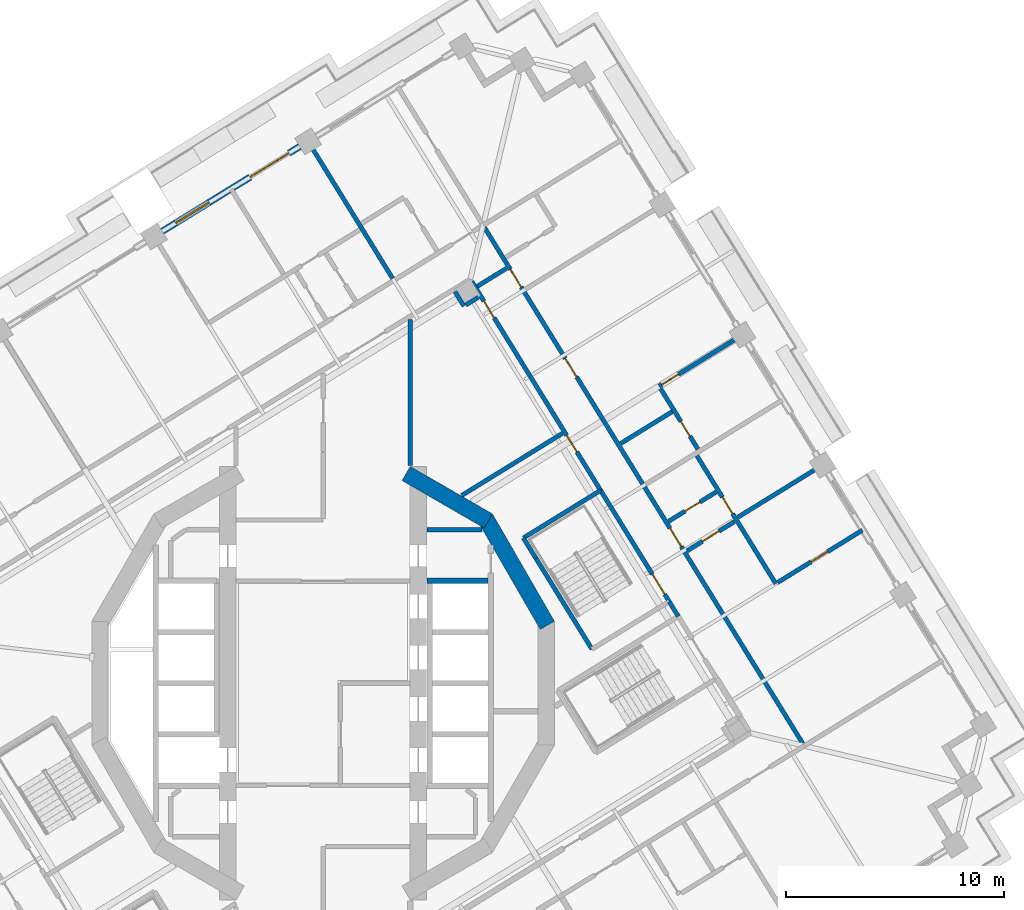
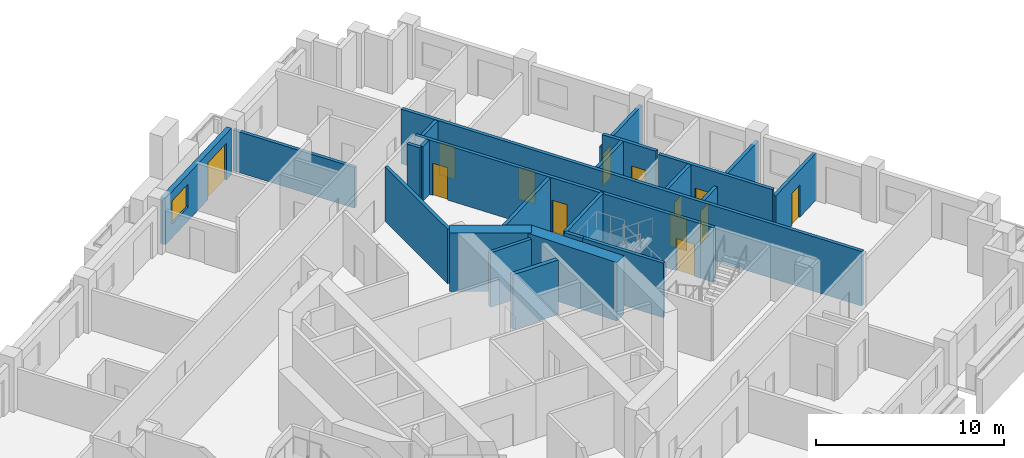
# One storey, part 9 of 21: 26 walls, 13 doors, 1 window, 14 openings.
"""IFC4 building model written with IfcOpenShell, lengths in metres."""

from ifc_helpers import new_model, si_unit, direction, frame, frame_2d, origin, place, context, subcontext, project, spatial, rectangle, extrude, material, layer, layer_set, type_object, element, fill, save


model = new_model("IFC4")

# Units and contexts
model_context = context("Model", 3, precision=1e-05, world=origin(), true_north=direction((0.0, 1.0)))
body_context = subcontext(model_context, "Body", "Model", "MODEL_VIEW")
ifc_project = project(units=[si_unit("LENGTHUNIT", "METRE"), si_unit("AREAUNIT", "SQUARE_METRE"), si_unit("VOLUMEUNIT", "CUBIC_METRE"), si_unit("PLANEANGLEUNIT", "RADIAN"), si_unit("MASSUNIT", "GRAM", prefix="KILO")], contexts=[model_context])

# Site, building, storey
site_placement = place(None, origin())
site = spatial("IfcSite", under=ifc_project, at=site_placement, CompositionType="ELEMENT")
building_placement = place(site_placement, origin())
building = spatial("IfcBuilding", under=site, at=building_placement, Name="Cantera Rosa Tower", CompositionType="ELEMENT")
storey_placement = place(building_placement, frame((0.0, 0.0, 170.39990234375)))
storey = spatial("IfcBuildingStorey", under=building, at=storey_placement, Name="L37", CompositionType="ELEMENT", Elevation=170.39990234375)

# Walls
ifc_material_1 = material(Name="Gypsum board partition")
ifc_layer_1 = layer(ifc_material_1, 0.199951171875)
ifc_layer_set_1 = layer_set([ifc_layer_1], Name="CORRIDOR WALL 200 H3550")
wall_type_1 = type_object("IfcWallType", Name="CORRIDOR WALL 200 H3550", PredefinedType="PARTITIONING", material=ifc_layer_set_1)
wall_1_placement = place(storey_placement, frame((4.0, 9.994140625, 0.0), z_axis=(0.0, 0.0, 1.0), x_axis=(0.0, 1.0, 0.0)))
element("IfcWall", 1, at=wall_1_placement, inside=storey, type_object=wall_type_1, Name="CORRIDOR WALL L37-077", PredefinedType="PARTITIONING", context=body_context, shape_type="SweptSolid", body=[
    extrude(rectangle(XDim=6.7060546875, YDim=0.199951171875, at=frame_2d((3.35302734375, 0.0))), origin(), (0.0, 0.0, 1.0), 3.550048828125),
])
wall_2_placement = place(storey_placement, frame((7.08154296875, 18.234619140625, 0.0), z_axis=(0.0, 0.0, 1.0), x_axis=(0.8511858258, 0.524864449127, 0.0)))
element("IfcWall", 2, at=wall_2_placement, inside=storey, type_object=wall_type_1, Name="CORRIDOR WALL L37-088", PredefinedType="PARTITIONING", context=body_context, shape_type="SweptSolid", body=[
    extrude(rectangle(XDim=1.580078125, YDim=0.199951171875, at=frame_2d((0.7900390625, 0.0))), origin(), (0.0, 0.0, 1.0), 3.550048828125),
])

# Wall, openings, doors
wall_3_placement = place(storey_placement, frame((12.74560546875, 8.861328125, 0.0), z_axis=(0.0, 0.0, 1.0), x_axis=(-0.524983574612, 0.851112358263, 0.0)))
wall_3 = element("IfcWall", 3, at=wall_3_placement, inside=storey, type_object=wall_type_1, Name="CORRIDOR WALL L37-106", PredefinedType="PARTITIONING", context=body_context, shape_type="SweptSolid", body=[
    extrude(rectangle(XDim=11.279296875, YDim=0.199951171875, at=frame_2d((5.6396484375, 0.0))), origin(), (0.0, 0.0, 1.0), 3.550048828125),
])
opening_1_placement = place(wall_3_placement, frame((9.314208984375, 0.0, 0.0)))
opening_1 = element("IfcOpeningElement", 4, at=opening_1_placement, cuts=wall_3, Name="Opening L37-005", PredefinedType="OPENING", context=body_context, shape_type="SweptSolid", body=[
    extrude(rectangle(XDim=0.89990234375, YDim=2.10009765625, at=frame_2d((0.449951171875, 1.050048828125))), frame((0.0, 0.10986328125, 0.0), z_axis=(0.0, -1.0, 0.0), x_axis=(1.0, 0.0, 0.0)), (0.0, 0.0, 1.0), 0.219970703125),
])
opening_2_placement = place(wall_3_placement, frame((2.0693359375, 0.0, 0.0)))
opening_2 = element("IfcOpeningElement", 5, at=opening_2_placement, cuts=wall_3, Name="Opening L37-010", PredefinedType="OPENING", context=body_context, shape_type="SweptSolid", body=[
    extrude(rectangle(XDim=0.89990234375, YDim=2.10009765625, at=frame_2d((0.449951171875, 1.050048828125))), frame((0.0, 0.10986328125, 0.0), z_axis=(0.0, -1.0, 0.0), x_axis=(1.0, 0.0, 0.0)), (0.0, 0.0, 1.0), 0.219970703125),
])
ifc_material_2 = material(Name="Timber door leaf", Category="wood")
door_type_1 = type_object("IfcDoorType", Name="SERVICE DOOR 900x2100", OperationType="NOTDEFINED", PredefinedType="DOOR", material=ifc_material_2)
door_1_placement = place(opening_1_placement, origin())
door_1 = element("IfcDoor", 6, at=door_1_placement, inside=storey, type_object=door_type_1, Name="DOOR L37-005", OperationType="NOTDEFINED", OverallHeight=2.10009765625, OverallWidth=0.89990234375, PredefinedType="DOOR", context=body_context, shape_type="SweptSolid", body=[
    extrude(rectangle(XDim=0.89990234375, YDim=2.10009765625, at=frame_2d((0.449951171875, 1.050048828125))), frame((0.0, 0.02490234375, 0.0), z_axis=(0.0, -1.0, 0.0), x_axis=(1.0, 0.0, 0.0)), (0.0, 0.0, 1.0), 0.050048828125),
])
fill(opening_1, door_1)
door_2_placement = place(opening_2_placement, origin())
door_2 = element("IfcDoor", 7, at=door_2_placement, inside=storey, type_object=door_type_1, Name="DOOR L37-010", OperationType="NOTDEFINED", OverallHeight=2.10009765625, OverallWidth=0.89990234375, PredefinedType="DOOR", context=body_context, shape_type="SweptSolid", body=[
    extrude(rectangle(XDim=0.89990234375, YDim=2.10009765625, at=frame_2d((0.449951171875, 1.050048828125))), frame((0.0, 0.02490234375, 0.0), z_axis=(0.0, -1.0, 0.0), x_axis=(1.0, 0.0, 0.0)), (0.0, 0.0, 1.0), 0.050048828125),
])
fill(opening_2, door_2)

# Wall
wall_4_placement = place(storey_placement, frame((16.31591796875, 3.072998046875, 0.0), z_axis=(0.0, 0.0, 1.0), x_axis=(-0.524947597637, 0.85113454855, 0.0)))
element("IfcWall", 8, at=wall_4_placement, inside=storey, type_object=wall_type_1, Name="CORRIDOR WALL L37-114", PredefinedType="PARTITIONING", context=body_context, shape_type="SweptSolid", body=[
    extrude(rectangle(XDim=0.80078125, YDim=0.199951171875, at=frame_2d((0.400390625, 0.0))), origin(), (0.0, 0.0, 1.0), 3.550048828125),
])

# Wall, openings, doors
wall_5_placement = place(storey_placement, frame((22.037109375, -2.77392578125, 0.0), z_axis=(0.0, 0.0, 1.0), x_axis=(-0.524972822247, 0.851118990448, 0.0)))
wall_5 = element("IfcWall", 9, at=wall_5_placement, inside=storey, type_object=wall_type_1, Name="CORRIDOR WALL L37-129", PredefinedType="PARTITIONING", context=body_context, shape_type="SweptSolid", body=[
    extrude(rectangle(XDim=27.85986328125, YDim=0.199951171875, at=frame_2d((13.929931640625, 0.0))), origin(), (0.0, 0.0, 1.0), 3.550048828125),
])
opening_3_placement = place(wall_5_placement, frame((10.6298828125, 0.0, 0.0)))
opening_3 = element("IfcOpeningElement", 10, at=opening_3_placement, cuts=wall_5, Name="Opening L37-022", PredefinedType="OPENING", context=body_context, shape_type="SweptSolid", body=[
    extrude(rectangle(XDim=1.0, YDim=2.10009765625, at=frame_2d((0.5, 1.050048828125))), frame((0.0, 0.10986328125, 0.0), z_axis=(0.0, -1.0, 0.0), x_axis=(1.0, 0.0, 0.0)), (0.0, 0.0, 1.0), 0.219970703125),
])
opening_4_placement = place(wall_5_placement, frame((19.794921875, 0.0, 0.0)))
opening_4 = element("IfcOpeningElement", 11, at=opening_4_placement, cuts=wall_5, Name="Opening L37-027", PredefinedType="OPENING", context=body_context, shape_type="SweptSolid", body=[
    extrude(rectangle(XDim=1.0, YDim=2.10009765625, at=frame_2d((0.5, 1.050048828125))), frame((0.0, 0.10986328125, 0.0), z_axis=(0.0, -1.0, 0.0), x_axis=(1.0, 0.0, 0.0)), (0.0, 0.0, 1.0), 0.219970703125),
])
opening_5_placement = place(wall_5_placement, frame((24.652099609375, 0.0, 0.0)))
opening_5 = element("IfcOpeningElement", 12, at=opening_5_placement, cuts=wall_5, Name="Opening L37-030", PredefinedType="OPENING", context=body_context, shape_type="SweptSolid", body=[
    extrude(rectangle(XDim=0.949951171875, YDim=2.10009765625, at=frame_2d((0.47509765625, 1.050048828125))), frame((0.0, 0.10986328125, 0.0), z_axis=(0.0, -1.0, 0.0), x_axis=(1.0, 0.0, 0.0)), (0.0, 0.0, 1.0), 0.219970703125),
])
ifc_material_3 = material(Name="Timber door leaf", Category="wood")
door_type_2 = type_object("IfcDoorType", Name="ENTRANCE DOOR 1000x2100", OperationType="NOTDEFINED", PredefinedType="DOOR", material=ifc_material_3)
door_3_placement = place(opening_3_placement, origin())
door_3 = element("IfcDoor", 13, at=door_3_placement, inside=storey, type_object=door_type_2, Name="DOOR L37-022", OperationType="NOTDEFINED", OverallHeight=2.10009765625, OverallWidth=1.0, PredefinedType="DOOR", context=body_context, shape_type="SweptSolid", body=[
    extrude(rectangle(XDim=1.0, YDim=2.10009765625, at=frame_2d((0.5, 1.050048828125))), frame((0.0, 0.02490234375, 0.0), z_axis=(0.0, -1.0, 0.0), x_axis=(1.0, 0.0, 0.0)), (0.0, 0.0, 1.0), 0.050048828125),
])
fill(opening_3, door_3)
door_4_placement = place(opening_4_placement, origin())
door_4 = element("IfcDoor", 14, at=door_4_placement, inside=storey, type_object=door_type_2, Name="DOOR L37-027", OperationType="NOTDEFINED", OverallHeight=2.10009765625, OverallWidth=1.0, PredefinedType="DOOR", context=body_context, shape_type="SweptSolid", body=[
    extrude(rectangle(XDim=1.0, YDim=2.10009765625, at=frame_2d((0.5, 1.050048828125))), frame((0.0, 0.02490234375, 0.0), z_axis=(0.0, -1.0, 0.0), x_axis=(1.0, 0.0, 0.0)), (0.0, 0.0, 1.0), 0.050048828125),
])
fill(opening_4, door_4)
ifc_material_4 = material(Name="Timber door leaf", Category="wood")
door_type_3 = type_object("IfcDoorType", Name="ROOM DOOR 950x2100", OperationType="NOTDEFINED", PredefinedType="DOOR", material=ifc_material_4)
door_5_placement = place(opening_5_placement, origin())
door_5 = element("IfcDoor", 15, at=door_5_placement, inside=storey, type_object=door_type_3, Name="DOOR L37-030", OperationType="NOTDEFINED", OverallHeight=2.10009765625, OverallWidth=0.949951171875, PredefinedType="DOOR", context=body_context, shape_type="SweptSolid", body=[
    extrude(rectangle(XDim=0.949951171875, YDim=2.10009765625, at=frame_2d((0.47509765625, 1.050048828125))), frame((0.0, 0.02490234375, 0.0), z_axis=(0.0, -1.0, 0.0), x_axis=(1.0, 0.0, 0.0)), (0.0, 0.0, 1.0), 0.050048828125),
])
fill(opening_5, door_5)

# Wall, openings, window, door
ifc_material_5 = material(Name="Hollow clay masonry with cantera stone cladding", Category="masonry")
ifc_layer_2 = layer(ifc_material_5, 0.300048828125)
ifc_layer_set_2 = layer_set([ifc_layer_2], Name="EW-LOGGIA 300 H3020")
wall_type_2 = type_object("IfcWallType", Name="EW-LOGGIA 300 H3020", PredefinedType="SOLIDWALL", material=ifc_layer_set_2)
wall_6_placement = place(storey_placement, frame((-1.07421875, 24.656982421875, 0.0), z_axis=(0.0, 0.0, 1.0), x_axis=(-0.85112578684, -0.524961803349, 0.0)))
wall_6 = element("IfcWall", 16, at=wall_6_placement, inside=storey, type_object=wall_type_2, Name="EN-L37-W09", PredefinedType="SOLIDWALL", context=body_context, shape_type="SweptSolid", body=[
    extrude(rectangle(XDim=7.420166015625, YDim=0.300048828125, at=frame_2d((3.7099609375, 0.0))), origin(), (0.0, 0.0, 1.0), 3.02001953125),
])
opening_6_placement = place(wall_6_placement, frame((0.580078125, 0.0, 0.0)))
opening_6 = element("IfcOpeningElement", 17, at=opening_6_placement, cuts=wall_6, Name="Opening L37-TD13", PredefinedType="OPENING", context=body_context, shape_type="SweptSolid", body=[
    extrude(rectangle(XDim=2.10009765625, YDim=2.39990234375, at=frame_2d((1.050048828125, 1.199951171875))), frame((0.0, 0.159912109375, 0.0), z_axis=(0.0, -1.0, 0.0), x_axis=(1.0, 0.0, 0.0)), (0.0, 0.0, 1.0), 0.320068359375),
])
opening_7_placement = place(wall_6_placement, frame((4.889892578125, 0.0, 0.89990234375)))
opening_7 = element("IfcOpeningElement", 18, at=opening_7_placement, cuts=wall_6, Name="Opening L37-W14", PredefinedType="OPENING", context=body_context, shape_type="SweptSolid", body=[
    extrude(rectangle(XDim=1.800048828125, YDim=1.5, at=frame_2d((0.89990234375, 0.75))), frame((0.0, 0.159912109375, 0.0), z_axis=(0.0, -1.0, 0.0), x_axis=(1.0, 0.0, 0.0)), (0.0, 0.0, 1.0), 0.320068359375),
])
ifc_material_6 = material(Name="Aluminium frame with clear glass", Category="aluminium")
window_type = type_object("IfcWindowType", Name="Hotel room window 1800x1500", PartitioningType="DOUBLE_PANEL_VERTICAL", PredefinedType="WINDOW", material=ifc_material_6)
window_placement = place(opening_7_placement, origin())
window = element("IfcWindow", 19, at=window_placement, inside=storey, type_object=window_type, Name="WINDOW L37-W14", OverallHeight=1.5, OverallWidth=1.800048828125, PartitioningType="SINGLE_PANEL", PredefinedType="WINDOW", context=body_context, shape_type="SweptSolid", body=[
    extrude(rectangle(XDim=1.800048828125, YDim=1.5, at=frame_2d((0.89990234375, 0.75))), frame((0.0, 0.030029296875, 0.0), z_axis=(0.0, -1.0, 0.0), x_axis=(1.0, 0.0, 0.0)), (0.0, 0.0, 1.0), 0.06005859375),
])
fill(opening_7, window)
ifc_material_7 = material(Name="Aluminium frame with clear glass", Category="aluminium")
door_type_4 = type_object("IfcDoorType", Name="TD-H 2100x2400", OperationType="NOTDEFINED", PredefinedType="DOOR", material=ifc_material_7)
door_6_placement = place(opening_6_placement, origin())
door_6 = element("IfcDoor", 20, at=door_6_placement, inside=storey, type_object=door_type_4, Name="LOGGIA DOOR L37-TD13", OperationType="SLIDING_TO_LEFT", OverallHeight=2.39990234375, OverallWidth=2.10009765625, PredefinedType="DOOR", context=body_context, shape_type="SweptSolid", body=[
    extrude(rectangle(XDim=2.10009765625, YDim=2.39990234375, at=frame_2d((1.050048828125, 1.199951171875))), frame((0.0, 0.02490234375, 0.0), z_axis=(0.0, -1.0, 0.0), x_axis=(1.0, 0.0, 0.0)), (0.0, 0.0, 1.0), 0.050048828125),
])
fill(opening_6, door_6)

# Wall, opening, door
ifc_material_8 = material(Name="Gypsum board partition")
ifc_layer_3 = layer(ifc_material_8, 0.199951171875)
ifc_layer_set_3 = layer_set([ifc_layer_3], Name="PARTITION 200 H2650")
wall_type_3 = type_object("IfcWallType", Name="PARTITION 200 H2650", PredefinedType="PARTITIONING", material=ifc_layer_set_3)
wall_7_placement = place(storey_placement, frame((15.43505859375, 13.644287109375, 0.0), z_axis=(0.0, 0.0, 1.0), x_axis=(0.85108586201, 0.525026528364, 0.0)))
wall_7 = element("IfcWall", 21, at=wall_7_placement, inside=storey, type_object=wall_type_3, Name="PARTITION L37-111", PredefinedType="PARTITIONING", context=body_context, shape_type="SweptSolid", body=[
    extrude(rectangle(XDim=4.47021484375, YDim=0.199951171875, at=frame_2d((2.235107421875, 0.0))), origin(), (0.0, 0.0, 1.0), 2.650146484375),
])
opening_8_placement = place(wall_7_placement, frame((0.14990234375, 0.0, 0.0)))
opening_8 = element("IfcOpeningElement", 22, at=opening_8_placement, cuts=wall_7, Name="Opening L37-028", PredefinedType="OPENING", context=body_context, shape_type="SweptSolid", body=[
    extrude(rectangle(XDim=0.89990234375, YDim=2.10009765625, at=frame_2d((0.449951171875, 1.050048828125))), frame((0.0, 0.10986328125, 0.0), z_axis=(0.0, -1.0, 0.0), x_axis=(1.0, 0.0, 0.0)), (0.0, 0.0, 1.0), 0.219970703125),
])
ifc_material_9 = material(Name="Timber door leaf", Category="wood")
door_type_5 = type_object("IfcDoorType", Name="ROOM DOOR 900x2100", OperationType="NOTDEFINED", PredefinedType="DOOR", material=ifc_material_9)
door_7_placement = place(opening_8_placement, origin())
door_7 = element("IfcDoor", 23, at=door_7_placement, inside=storey, type_object=door_type_5, Name="DOOR L37-028", OperationType="NOTDEFINED", OverallHeight=2.10009765625, OverallWidth=0.89990234375, PredefinedType="DOOR", context=body_context, shape_type="SweptSolid", body=[
    extrude(rectangle(XDim=0.89990234375, YDim=2.10009765625, at=frame_2d((0.449951171875, 1.050048828125))), frame((0.0, 0.02490234375, 0.0), z_axis=(0.0, -1.0, 0.0), x_axis=(1.0, 0.0, 0.0)), (0.0, 0.0, 1.0), 0.050048828125),
])
fill(opening_8, door_7)

wall_8_placement = place(storey_placement, frame((18.895263671875, 7.425048828125, 0.0), z_axis=(0.0, 0.0, 1.0), x_axis=(-0.851117608509, -0.524975062727, 0.0)))
wall_8 = element("IfcWall", 24, at=wall_8_placement, inside=storey, type_object=wall_type_3, Name="PARTITION L37-124", PredefinedType="PARTITIONING", context=body_context, shape_type="SweptSolid", body=[
    extrude(rectangle(XDim=2.56005859375, YDim=0.199951171875, at=frame_2d((1.280029296875, 0.0))), origin(), (0.0, 0.0, 1.0), 2.650146484375),
])
opening_9_placement = place(wall_8_placement, frame((0.830078125, 0.0, 0.0)))
opening_9 = element("IfcOpeningElement", 25, at=opening_9_placement, cuts=wall_8, Name="Opening L37-024", PredefinedType="OPENING", context=body_context, shape_type="SweptSolid", body=[
    extrude(rectangle(XDim=0.89990234375, YDim=2.10009765625, at=frame_2d((0.449951171875, 1.050048828125))), frame((0.0, 0.10986328125, 0.0), z_axis=(0.0, -1.0, 0.0), x_axis=(1.0, 0.0, 0.0)), (0.0, 0.0, 1.0), 0.219970703125),
])
door_8_placement = place(opening_9_placement, origin())
door_8 = element("IfcDoor", 26, at=door_8_placement, inside=storey, type_object=door_type_5, Name="DOOR L37-024", OperationType="NOTDEFINED", OverallHeight=2.10009765625, OverallWidth=0.89990234375, PredefinedType="DOOR", context=body_context, shape_type="SweptSolid", body=[
    extrude(rectangle(XDim=0.89990234375, YDim=2.10009765625, at=frame_2d((0.449951171875, 1.050048828125))), frame((0.0, 0.02490234375, 0.0), z_axis=(0.0, -1.0, 0.0), x_axis=(1.0, 0.0, 0.0)), (0.0, 0.0, 1.0), 0.050048828125),
])
fill(opening_9, door_8)

# Wall
wall_9_placement = place(storey_placement, frame((22.9248046875, 10.016357421875, 0.0), z_axis=(0.0, 0.0, 1.0), x_axis=(-0.851112531426, -0.524983293877, 0.0)))
element("IfcWall", 27, at=wall_9_placement, inside=storey, type_object=wall_type_3, Name="PARTITION L37-130", PredefinedType="PARTITIONING", context=body_context, shape_type="SweptSolid", body=[
    extrude(rectangle(XDim=4.550048828125, YDim=0.199951171875, at=frame_2d((2.27490234375, 0.0))), origin(), (0.0, 0.0, 1.0), 2.650146484375),
])

# Wall, opening, door
ifc_material_10 = material(Name="Gypsum board partition")
ifc_layer_4 = layer(ifc_material_10, 0.199951171875)
ifc_layer_set_4 = layer_set([ifc_layer_4], Name="PARTITION 200 H3050")
wall_type_4 = type_object("IfcWallType", Name="PARTITION 200 H3050", PredefinedType="PARTITIONING", material=ifc_layer_set_4)
wall_10_placement = place(storey_placement, frame((24.767578125, 7.02880859375, 0.0), z_axis=(0.0, 0.0, 1.0), x_axis=(-0.851116766048, -0.524976428568, 0.0)))
wall_10 = element("IfcWall", 28, at=wall_10_placement, inside=storey, type_object=wall_type_4, Name="PARTITION L37-131", PredefinedType="PARTITIONING", context=body_context, shape_type="SweptSolid", body=[
    extrude(rectangle(XDim=4.570068359375, YDim=0.199951171875, at=frame_2d((2.28515625, 0.0))), origin(), (0.0, 0.0, 1.0), 3.050048828125),
])
opening_10_placement = place(wall_10_placement, frame((1.8701171875, 0.0, 0.0)))
opening_10 = element("IfcOpeningElement", 29, at=opening_10_placement, cuts=wall_10, Name="Opening L37-026", PredefinedType="OPENING", context=body_context, shape_type="SweptSolid", body=[
    extrude(rectangle(XDim=0.89990234375, YDim=2.10009765625, at=frame_2d((0.449951171875, 1.050048828125))), frame((0.0, 0.10986328125, 0.0), z_axis=(0.0, -1.0, 0.0), x_axis=(1.0, 0.0, 0.0)), (0.0, 0.0, 1.0), 0.219970703125),
])
door_9_placement = place(opening_10_placement, origin())
door_9 = element("IfcDoor", 30, at=door_9_placement, inside=storey, type_object=door_type_5, Name="DOOR L37-026", OperationType="NOTDEFINED", OverallHeight=2.10009765625, OverallWidth=0.89990234375, PredefinedType="DOOR", context=body_context, shape_type="SweptSolid", body=[
    extrude(rectangle(XDim=0.89990234375, YDim=2.10009765625, at=frame_2d((0.449951171875, 1.050048828125))), frame((0.0, 0.02490234375, 0.0), z_axis=(0.0, -1.0, 0.0), x_axis=(1.0, 0.0, 0.0)), (0.0, 0.0, 1.0), 0.050048828125),
])
fill(opening_10, door_9)

# Walls
ifc_material_11 = material(Name="Gypsum board partition")
ifc_layer_5 = layer(ifc_material_11, 0.199951171875)
ifc_layer_set_5 = layer_set([ifc_layer_5], Name="PARTITION 200 H3550")
wall_type_5 = type_object("IfcWallType", Name="PARTITION 200 H3550", PredefinedType="PARTITIONING", material=ifc_layer_set_5)
wall_11_placement = place(storey_placement, frame((4.780029296875, 7.050048828125, 0.0), z_axis=(0.0, 0.0, 1.0), x_axis=(1.0, 0.0, 0.0)))
element("IfcWall", 31, at=wall_11_placement, inside=storey, type_object=wall_type_5, Name="PARTITION L37-080", PredefinedType="PARTITIONING", context=body_context, shape_type="SweptSolid", body=[
    extrude(rectangle(XDim=2.517822265625, YDim=0.199951171875, at=frame_2d((1.2587890625, 0.0))), origin(), (0.0, 0.0, 1.0), 3.550048828125),
])
wall_12_placement = place(storey_placement, frame((6.058349609375, 17.98876953125, 0.0), z_axis=(0.0, 0.0, 1.0), x_axis=(0.524813124932, -0.851217471566, 0.0)))
element("IfcWall", 32, at=wall_12_placement, inside=storey, type_object=wall_type_5, Name="PARTITION L37-082", PredefinedType="PARTITIONING", context=body_context, shape_type="SweptSolid", body=[
    extrude(rectangle(XDim=0.780029296875, YDim=0.199951171875, at=frame_2d((0.39013671875, 0.0))), origin(), (0.0, 0.0, 1.0), 3.550048828125),
])
wall_13_placement = place(storey_placement, frame((6.552978515625, 17.377197265625, 0.0), z_axis=(0.0, 0.0, 1.0), x_axis=(0.850930166337, 0.525278832638, 0.0)))
element("IfcWall", 33, at=wall_13_placement, inside=storey, type_object=wall_type_5, Name="PARTITION L37-084", PredefinedType="PARTITIONING", context=body_context, shape_type="SweptSolid", body=[
    extrude(rectangle(XDim=0.679931640625, YDim=0.199951171875, at=frame_2d((0.33984375, 0.0))), origin(), (0.0, 0.0, 1.0), 3.550048828125),
])
wall_14_placement = place(storey_placement, frame((10.990234375, 11.478515625, 0.0), z_axis=(0.0, 0.0, 1.0), x_axis=(-0.851122334173, -0.524967401152, 0.0)))
element("IfcWall", 34, at=wall_14_placement, inside=storey, type_object=wall_type_5, Name="PARTITION L37-103", PredefinedType="PARTITIONING", context=body_context, shape_type="SweptSolid", body=[
    extrude(rectangle(XDim=5.431396484375, YDim=0.199951171875, at=frame_2d((2.7158203125, 0.0))), origin(), (0.0, 0.0, 1.0), 3.550048828125),
])
wall_15_placement = place(storey_placement, frame((13.67138671875, 11.017578125, 0.0), z_axis=(0.0, 0.0, 1.0), x_axis=(0.85112116958, 0.524969289285, 0.0)))
element("IfcWall", 35, at=wall_15_placement, inside=storey, type_object=wall_type_5, Name="PARTITION L37-108", PredefinedType="PARTITIONING", context=body_context, shape_type="SweptSolid", body=[
    extrude(rectangle(XDim=2.780029296875, YDim=0.199951171875, at=frame_2d((1.39013671875, 0.0))), origin(), (0.0, 0.0, 1.0), 3.550048828125),
])

# Wall, opening, door
wall_16_placement = place(storey_placement, frame((17.17041015625, 10.449951171875, 0.0), z_axis=(0.0, 0.0, 1.0), x_axis=(0.524967739563, -0.851122125443, 0.0)))
wall_16 = element("IfcWall", 36, at=wall_16_placement, inside=storey, type_object=wall_type_5, Name="PARTITION L37-116", PredefinedType="PARTITIONING", context=body_context, shape_type="SweptSolid", body=[
    extrude(rectangle(XDim=6.900146484375, YDim=0.199951171875, at=frame_2d((3.4501953125, 0.0))), origin(), (0.0, 0.0, 1.0), 3.550048828125),
])
opening_11_placement = place(wall_16_placement, frame((2.22998046875, 0.0, 0.0)))
opening_11 = element("IfcOpeningElement", 37, at=opening_11_placement, cuts=wall_16, Name="Opening L37-025", PredefinedType="OPENING", context=body_context, shape_type="SweptSolid", body=[
    extrude(rectangle(XDim=0.89990234375, YDim=2.10009765625, at=frame_2d((0.449951171875, 1.050048828125))), frame((0.0, 0.10986328125, 0.0), z_axis=(0.0, -1.0, 0.0), x_axis=(1.0, 0.0, 0.0)), (0.0, 0.0, 1.0), 0.219970703125),
])
door_10_placement = place(opening_11_placement, origin())
door_10 = element("IfcDoor", 38, at=door_10_placement, inside=storey, type_object=door_type_5, Name="DOOR L37-025", OperationType="NOTDEFINED", OverallHeight=2.10009765625, OverallWidth=0.89990234375, PredefinedType="DOOR", context=body_context, shape_type="SweptSolid", body=[
    extrude(rectangle(XDim=0.89990234375, YDim=2.10009765625, at=frame_2d((0.449951171875, 1.050048828125))), frame((0.0, 0.02490234375, 0.0), z_axis=(0.0, -1.0, 0.0), x_axis=(1.0, 0.0, 0.0)), (0.0, 0.0, 1.0), 0.050048828125),
])
fill(opening_11, door_10)

wall_17_placement = place(storey_placement, frame((17.214599609375, 10.75927734375, 0.0), z_axis=(0.0, 0.0, 1.0), x_axis=(-0.524976153579, 0.851116935663, 0.0)))
wall_17 = element("IfcWall", 39, at=wall_17_placement, inside=storey, type_object=wall_type_5, Name="PARTITION L37-117", PredefinedType="PARTITIONING", context=body_context, shape_type="SweptSolid", body=[
    extrude(rectangle(XDim=3.269775390625, YDim=0.199951171875, at=frame_2d((1.634765625, 0.0))), origin(), (0.0, 0.0, 1.0), 3.550048828125),
])
opening_12_placement = place(wall_17_placement, frame((0.68994140625, 0.0, 0.0)))
opening_12 = element("IfcOpeningElement", 40, at=opening_12_placement, cuts=wall_17, Name="Opening L37-029", PredefinedType="OPENING", context=body_context, shape_type="SweptSolid", body=[
    extrude(rectangle(XDim=0.800048828125, YDim=2.10009765625, at=frame_2d((0.39990234375, 1.050048828125))), frame((0.0, 0.10986328125, 0.0), z_axis=(0.0, -1.0, 0.0), x_axis=(1.0, 0.0, 0.0)), (0.0, 0.0, 1.0), 0.219970703125),
])
ifc_material_12 = material(Name="Timber door leaf", Category="wood")
door_type_6 = type_object("IfcDoorType", Name="BATHROOM DOOR 800x2100", OperationType="NOTDEFINED", PredefinedType="DOOR", material=ifc_material_12)
door_11_placement = place(opening_12_placement, origin())
door_11 = element("IfcDoor", 41, at=door_11_placement, inside=storey, type_object=door_type_6, Name="DOOR L37-029", OperationType="NOTDEFINED", OverallHeight=2.10009765625, OverallWidth=0.800048828125, PredefinedType="DOOR", context=body_context, shape_type="SweptSolid", body=[
    extrude(rectangle(XDim=0.800048828125, YDim=2.10009765625, at=frame_2d((0.39990234375, 1.050048828125))), frame((0.0, 0.02490234375, 0.0), z_axis=(0.0, -1.0, 0.0), x_axis=(1.0, 0.0, 0.0)), (0.0, 0.0, 1.0), 0.050048828125),
])
fill(opening_12, door_11)

wall_18_placement = place(storey_placement, frame((18.055419921875, 8.786865234375, 0.0), z_axis=(0.0, 0.0, 1.0), x_axis=(-0.851117608509, -0.524975062727, 0.0)))
wall_18 = element("IfcWall", 42, at=wall_18_placement, inside=storey, type_object=wall_type_5, Name="PARTITION L37-121", PredefinedType="PARTITIONING", context=body_context, shape_type="SweptSolid", body=[
    extrude(rectangle(XDim=2.56005859375, YDim=0.199951171875, at=frame_2d((1.280029296875, 0.0))), origin(), (0.0, 0.0, 1.0), 3.550048828125),
])
opening_13_placement = place(wall_18_placement, frame((0.8798828125, 0.0, 0.0)))
opening_13 = element("IfcOpeningElement", 43, at=opening_13_placement, cuts=wall_18, Name="Opening L37-023", PredefinedType="OPENING", context=body_context, shape_type="SweptSolid", body=[
    extrude(rectangle(XDim=0.800048828125, YDim=2.10009765625, at=frame_2d((0.39990234375, 1.050048828125))), frame((0.0, 0.10986328125, 0.0), z_axis=(0.0, -1.0, 0.0), x_axis=(1.0, 0.0, 0.0)), (0.0, 0.0, 1.0), 0.219970703125),
])
door_12_placement = place(opening_13_placement, origin())
door_12 = element("IfcDoor", 44, at=door_12_placement, inside=storey, type_object=door_type_6, Name="DOOR L37-023", OperationType="NOTDEFINED", OverallHeight=2.10009765625, OverallWidth=0.800048828125, PredefinedType="DOOR", context=body_context, shape_type="SweptSolid", body=[
    extrude(rectangle(XDim=0.800048828125, YDim=2.10009765625, at=frame_2d((0.39990234375, 1.050048828125))), frame((0.0, 0.02490234375, 0.0), z_axis=(0.0, -1.0, 0.0), x_axis=(1.0, 0.0, 0.0)), (0.0, 0.0, 1.0), 0.050048828125),
])
fill(opening_13, door_12)

# Walls
ifc_material_13 = material(Name="Gypsum board partition")
ifc_layer_6 = layer(ifc_material_13, 0.199951171875)
ifc_layer_set_6 = layer_set([ifc_layer_6], Name="PARTY WALL 200 H2650")
wall_type_6 = type_object("IfcWallType", Name="PARTY WALL 200 H2650", PredefinedType="PARTITIONING", material=ifc_layer_set_6)
wall_19_placement = place(storey_placement, frame((-0.675537109375, 24.86767578125, 0.0), z_axis=(0.0, 0.0, 1.0), x_axis=(0.52498429839, -0.851111911821, 0.0)))
element("IfcWall", 45, at=wall_19_placement, inside=storey, type_object=wall_type_6, Name="PARTY WALL L37-060", PredefinedType="PARTITIONING", context=body_context, shape_type="SweptSolid", body=[
    extrude(rectangle(XDim=7.3701171875, YDim=0.199951171875, at=frame_2d((3.68505859375, 0.0))), origin(), (0.0, 0.0, 1.0), 2.650146484375),
])
ifc_material_14 = material(Name="Concrete C60/75", Category="concrete")
ifc_layer_7 = layer(ifc_material_14, 0.75)
ifc_layer_set_7 = layer_set([ifc_layer_7], Name="RC CORE WALL 750 C60/75")
wall_type_7 = type_object("IfcWallType", Name="RC CORE WALL 750 C60/75", PredefinedType="SHEAR", material=ifc_layer_set_7)
wall_20_placement = place(storey_placement, frame((3.8125, 9.634765625, 0.0), z_axis=(0.0, 0.0, 1.0), x_axis=(0.866013176292, -0.50002117804, 0.0)))
element("IfcWall", 46, at=wall_20_placement, inside=storey, type_object=wall_type_7, Name="CW-E1 L37", PredefinedType="SHEAR", context=body_context, shape_type="SweptSolid", body=[
    extrude(rectangle(XDim=4.362548828125, YDim=0.75, at=frame_2d((2.18115234375, 0.0))), origin(), (0.0, 0.0, 1.0), 3.800048828125),
])
wall_21_placement = place(storey_placement, frame((7.453369140625, 7.590576171875, 0.0), z_axis=(0.0, 0.0, 1.0), x_axis=(0.500021842983, -0.866012792365, 0.0)))
element("IfcWall", 47, at=wall_21_placement, inside=storey, type_object=wall_type_7, Name="CW-E2 L37", PredefinedType="SHEAR", context=body_context, shape_type="SweptSolid", body=[
    extrude(rectangle(XDim=5.694091796875, YDim=0.75, at=frame_2d((2.84716796875, 0.0))), origin(), (0.0, 0.0, 1.0), 3.800048828125),
])
ifc_material_15 = material(Name="Masonry blockwork", Category="masonry")
ifc_layer_8 = layer(ifc_material_15, 0.25)
ifc_layer_set_8 = layer_set([ifc_layer_8], Name="SHAFT WALL 250 H3550")
wall_type_8 = type_object("IfcWallType", Name="SHAFT WALL 250 H3550", PredefinedType="SOLIDWALL", material=ifc_layer_set_8)
wall_22_placement = place(storey_placement, frame((4.780029296875, 4.699951171875, 0.0), z_axis=(0.0, 0.0, 1.0), x_axis=(1.0, 0.0, 0.0)))
element("IfcWall", 48, at=wall_22_placement, inside=storey, type_object=wall_type_8, Name="SHAFT WALL L37-079", PredefinedType="SOLIDWALL", context=body_context, shape_type="SweptSolid", body=[
    extrude(rectangle(XDim=2.794921875, YDim=0.25, at=frame_2d((1.3974609375, 0.0))), origin(), (0.0, 0.0, 1.0), 3.550048828125),
])
ifc_material_16 = material(Name="Concrete C50/60", Category="concrete")
ifc_layer_9 = layer(ifc_material_16, 0.199951171875)
ifc_layer_set_9 = layer_set([ifc_layer_9], Name="STAIR WALL 200 H3550")
wall_type_9 = type_object("IfcWallType", Name="STAIR WALL 200 H3550", PredefinedType="SOLIDWALL", material=ifc_layer_set_9)
wall_23_placement = place(storey_placement, frame((9.199462890625, 6.674072265625, 0.0), z_axis=(0.0, 0.0, 1.0), x_axis=(0.524902102766, -0.851162606387, 0.0)))
element("IfcWall", 49, at=wall_23_placement, inside=storey, type_object=wall_type_9, Name="STAIR WALL L37-097", PredefinedType="SOLIDWALL", context=body_context, shape_type="SweptSolid", body=[
    extrude(rectangle(XDim=1.10009765625, YDim=0.199951171875, at=frame_2d((0.550048828125, 0.0))), origin(), (0.0, 0.0, 1.0), 3.550048828125),
])
wall_24_placement = place(storey_placement, frame((12.74560546875, 8.861328125, 0.0), z_axis=(0.0, 0.0, 1.0), x_axis=(-0.851120688733, -0.524970068871, 0.0)))
element("IfcWall", 50, at=wall_24_placement, inside=storey, type_object=wall_type_9, Name="STAIR WALL L37-107", PredefinedType="SOLIDWALL", context=body_context, shape_type="SweptSolid", body=[
    extrude(rectangle(XDim=4.16650390625, YDim=0.199951171875, at=frame_2d((2.083251953125, 0.0))), origin(), (0.0, 0.0, 1.0), 3.550048828125),
])

# Wall, opening, door
wall_25_placement = place(storey_placement, frame((15.8955078125, 3.754638671875, 0.0), z_axis=(0.0, 0.0, 1.0), x_axis=(-0.524982543144, 0.851112994493, 0.0)))
wall_25 = element("IfcWall", 51, at=wall_25_placement, inside=storey, type_object=wall_type_9, Name="STAIR WALL L37-112", PredefinedType="SOLIDWALL", context=body_context, shape_type="SweptSolid", body=[
    extrude(rectangle(XDim=6.0, YDim=0.199951171875, at=frame_2d((3.0, 0.0))), origin(), (0.0, 0.0, 1.0), 3.550048828125),
])
opening_14_placement = place(wall_25_placement, frame((0.375, 0.0, 0.0)))
opening_14 = element("IfcOpeningElement", 52, at=opening_14_placement, cuts=wall_25, Name="Opening L37-001", PredefinedType="OPENING", context=body_context, shape_type="SweptSolid", body=[
    extrude(rectangle(XDim=1.10009765625, YDim=2.10009765625, at=frame_2d((0.550048828125, 1.050048828125))), frame((0.0, 0.10986328125, 0.0), z_axis=(0.0, -1.0, 0.0), x_axis=(1.0, 0.0, 0.0)), (0.0, 0.0, 1.0), 0.219970703125),
])
ifc_material_17 = material(Name="Steel S355J2 (EN 10025-2)", Category="steel")
door_type_7 = type_object("IfcDoorType", Name="STAIR DOOR 1100x2100", OperationType="NOTDEFINED", PredefinedType="DOOR", material=ifc_material_17)
door_13_placement = place(opening_14_placement, origin())
door_13 = element("IfcDoor", 53, at=door_13_placement, inside=storey, type_object=door_type_7, Name="DOOR L37-001", OperationType="NOTDEFINED", OverallHeight=2.10009765625, OverallWidth=1.10009765625, PredefinedType="DOOR", context=body_context, shape_type="SweptSolid", body=[
    extrude(rectangle(XDim=1.10009765625, YDim=2.10009765625, at=frame_2d((0.550048828125, 1.050048828125))), frame((0.0, 0.02490234375, 0.0), z_axis=(0.0, -1.0, 0.0), x_axis=(1.0, 0.0, 0.0)), (0.0, 0.0, 1.0), 0.050048828125),
])
fill(opening_14, door_13)

# Wall
wall_26_placement = place(storey_placement, frame((9.77685546875, 5.73779296875, 0.0), z_axis=(0.0, 0.0, 1.0), x_axis=(0.525000600504, -0.851101856108, 0.0)))
element("IfcWall", 54, at=wall_26_placement, inside=storey, type_object=wall_type_9, Name="STAIR WALL L37-097 J", PredefinedType="SOLIDWALL", context=body_context, shape_type="SweptSolid", body=[
    extrude(rectangle(XDim=4.89990234375, YDim=0.199951171875, at=frame_2d((2.449951171875, 0.0))), origin(), (0.0, 0.0, 1.0), 3.550048828125),
])

save(model, "model.ifc")
